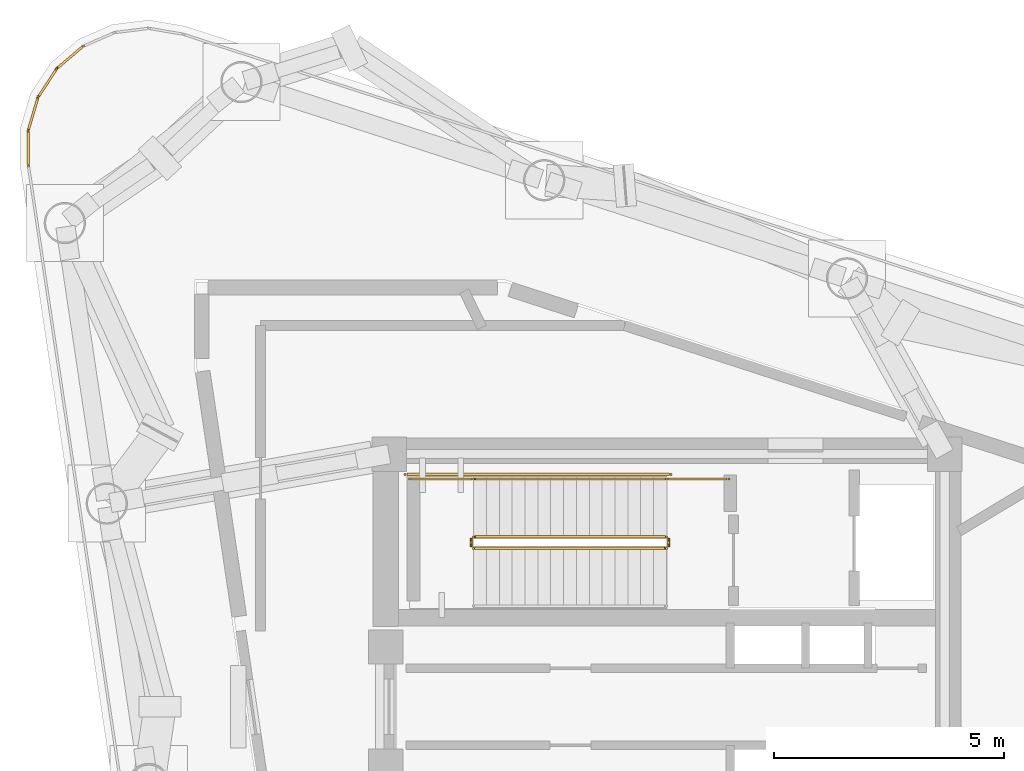
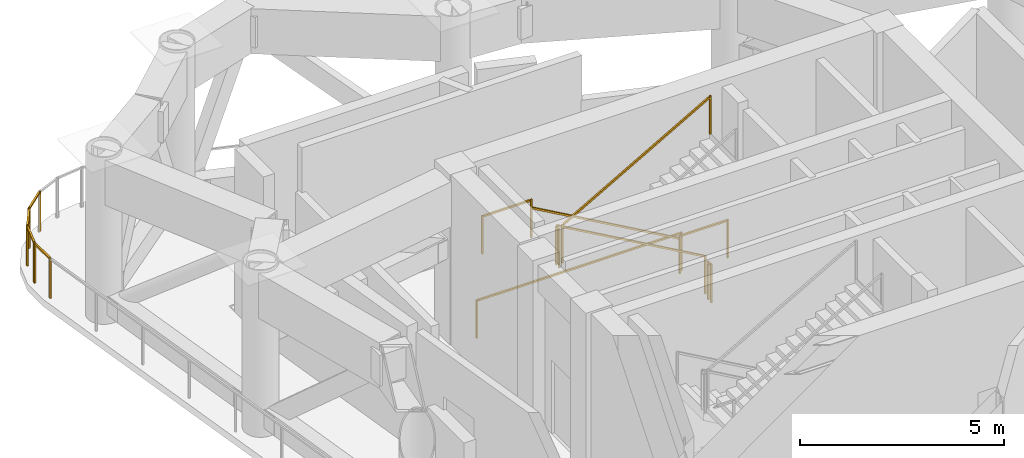
# One storey, part 8 of 9: 12 railings.
"""IFC4 building model written with IfcOpenShell, lengths in metres."""

from ifc_helpers import new_model, si_unit, direction, frame, origin, origin_2d, place, context, subcontext, project, spatial, rectangle, extrude, material, type_object, element, save


model = new_model("IFC4")

# Units and contexts
model_context = context("Model", 3, precision=1e-05, world=origin(), true_north=direction((0.0, 1.0)))
body_context = subcontext(model_context, "Body", "Model", "MODEL_VIEW")
ifc_project = project(units=[si_unit("LENGTHUNIT", "METRE"), si_unit("AREAUNIT", "SQUARE_METRE"), si_unit("VOLUMEUNIT", "CUBIC_METRE"), si_unit("PLANEANGLEUNIT", "RADIAN"), si_unit("MASSUNIT", "GRAM", prefix="KILO")], contexts=[model_context])

# Site, building, storey
site_placement = place(None, origin())
site = spatial("IfcSite", under=ifc_project, at=site_placement, CompositionType="ELEMENT")
building_placement = place(site_placement, origin())
building = spatial("IfcBuilding", under=site, at=building_placement, Name="Yunling Apex Tower", CompositionType="ELEMENT")
storey_placement = place(building_placement, frame((0.0, 0.0, 284.75)))
storey = spatial("IfcBuildingStorey", under=building, at=storey_placement, Name="RF8", CompositionType="ELEMENT", Elevation=284.75)

# Railings
ifc_material_1 = material(Name="Bronze anodised aluminium", Category="aluminium")
railing_type_1 = type_object("IfcRailingType", Name="RL-BAL-1200", PredefinedType="BALUSTRADE", material=ifc_material_1)
railing_1_placement = place(storey_placement, frame((-13.904052734375, 11.7734375, 0.0)))
element("IfcRailing", 1, at=railing_1_placement, inside=storey, type_object=railing_type_1, Name="RL-REF-RF8-02", PredefinedType="BALUSTRADE", context=body_context, shape_type="SweptSolid", body=[
    extrude(rectangle(XDim=0.0439453125, YDim=0.0439453125, at=origin_2d()), origin(), (0.0, 0.0, 1.0), 1.199951171875),
    extrude(rectangle(XDim=0.0439453125, YDim=0.0439453125, at=origin_2d()), frame((-0.002685546875, 0.792236328125, 0.0)), (0.0, 0.0, 1.0), 1.199951171875),
    extrude(rectangle(XDim=0.050048828125, YDim=0.050048828125, at=origin_2d()), frame((-0.000244140625, 0.038330078125, 1.1748046875), z_axis=(-0.003389811032, 0.999994254574, 0.0), x_axis=(-0.999994254574, -0.003389811032, 0.0)), (0.0, 0.0, 1.0), 0.715576171875),
])
railing_2_placement = place(storey_placement, frame((-13.910888671875, 12.5361328125, 0.0)))
element("IfcRailing", 2, at=railing_2_placement, inside=storey, type_object=railing_type_1, Name="RL-REF-RF8-03", PredefinedType="BALUSTRADE", context=body_context, shape_type="SweptSolid", body=[
    extrude(rectangle(XDim=0.0439453125, YDim=0.0439453125, at=origin_2d()), origin(), (0.0, 0.0, 1.0), 1.199951171875),
    extrude(rectangle(XDim=0.0439453125, YDim=0.0439453125, at=origin_2d()), frame((0.220703125, 0.7470703125, 0.0)), (0.0, 0.0, 1.0), 1.199951171875),
    extrude(rectangle(XDim=0.050048828125, YDim=0.050048828125, at=origin_2d()), frame((0.0107421875, 0.036865234375, 1.1748046875), z_axis=(0.28331993681, 0.959025449822, 0.0), x_axis=(-0.959025449822, 0.28331993681, 0.0)), (0.0, 0.0, 1.0), 0.702392578125),
])
railing_3_placement = place(storey_placement, frame((-13.70263671875, 13.256103515625, 0.0)))
element("IfcRailing", 3, at=railing_3_placement, inside=storey, type_object=railing_type_1, Name="RL-REF-RF8-04", PredefinedType="BALUSTRADE", context=body_context, shape_type="SweptSolid", body=[
    extrude(rectangle(XDim=0.0439453125, YDim=0.0439453125, at=origin_2d()), origin(), (0.0, 0.0, 1.0), 1.199951171875),
    extrude(rectangle(XDim=0.0439453125, YDim=0.0439453125, at=origin_2d()), frame((0.42529296875, 0.652587890625, 0.0)), (0.0, 0.0, 1.0), 1.199951171875),
    extrude(rectangle(XDim=0.050048828125, YDim=0.050048828125, at=origin_2d()), frame((0.02099609375, 0.0322265625, 1.1748046875), z_axis=(0.545990487941, 0.837791374435, 0.0), x_axis=(-0.837791374435, 0.545990487941, 0.0)), (0.0, 0.0, 1.0), 0.702392578125),
])
railing_4_placement = place(storey_placement, frame((-13.297119140625, 13.886474609375, 0.0)))
element("IfcRailing", 4, at=railing_4_placement, inside=storey, type_object=railing_type_1, Name="RL-REF-RF8-05", PredefinedType="BALUSTRADE", context=body_context, shape_type="SweptSolid", body=[
    extrude(rectangle(XDim=0.0439453125, YDim=0.0439453125, at=origin_2d()), origin(), (0.0, 0.0, 1.0), 1.199951171875),
    extrude(rectangle(XDim=0.0439453125, YDim=0.0439453125, at=origin_2d()), frame((0.594482421875, 0.50341796875, 0.0)), (0.0, 0.0, 1.0), 1.199951171875),
    extrude(rectangle(XDim=0.050048828125, YDim=0.050048828125, at=origin_2d()), frame((0.029296875, 0.024658203125, 1.1748046875), z_axis=(0.763136586566, 0.646237224435, 0.0), x_axis=(-0.646237224435, 0.763136586566, 0.0)), (0.0, 0.0, 1.0), 0.702392578125),
])
ifc_material_2 = material(Name="Steel Q355B", Category="steel")
railing_type_2 = type_object("IfcRailingType", Name="RL-GRD-1150", PredefinedType="GUARDRAIL", material=ifc_material_2)
railing_5_placement = place(storey_placement, frame((-0.010009765625, 3.699951171875, 0.159423828125)))
element("IfcRailing", 5, at=railing_5_placement, inside=storey, type_object=railing_type_2, Name="RF8 ST-1 stair guard 1", PredefinedType="GUARDRAIL", context=body_context, shape_type="SweptSolid", body=[
    extrude(rectangle(XDim=0.0439453125, YDim=0.0439453125, at=origin_2d()), origin(), (0.0, 0.0, 1.0), 1.14990234375),
    extrude(rectangle(XDim=0.0439453125, YDim=0.0439453125, at=origin_2d()), frame((-4.199951171875, 0.0, 2.390625)), (0.0, 0.0, 1.0), 1.14990234375),
    extrude(rectangle(XDim=0.050048828125, YDim=0.050048828125, at=origin_2d()), frame((-0.033203125, 0.0, 1.143798828125), z_axis=(-0.869075089623, 0.0, 0.494680188199), x_axis=(0.0, -1.0, 0.0)), (0.0, 0.0, 1.0), 4.756103515625),
])
railing_6_placement = place(storey_placement, frame((-4.260009765625, 3.64990234375, 2.550048828125)))
element("IfcRailing", 6, at=railing_6_placement, inside=storey, type_object=railing_type_2, Name="RF8 ST-1 stair guard 2", PredefinedType="GUARDRAIL", context=body_context, shape_type="SweptSolid", body=[
    extrude(rectangle(XDim=0.0439453125, YDim=0.0439453125, at=origin_2d()), origin(), (0.0, 0.0, 1.0), 1.14990234375),
    extrude(rectangle(XDim=0.0439453125, YDim=0.0439453125, at=origin_2d()), frame((0.0, -0.14990234375, 0.0)), (0.0, 0.0, 1.0), 1.14990234375),
    extrude(rectangle(XDim=0.050048828125, YDim=0.050048828125, at=origin_2d()), frame((0.0, -0.038330078125, 1.125), z_axis=(0.0, -1.0, 0.0), x_axis=(1.0, 0.0, 0.0)), (0.0, 0.0, 1.0), 0.0732421875),
])
railing_7_placement = place(storey_placement, frame((-4.2099609375, 4.9599609375, 2.550048828125)))
element("IfcRailing", 7, at=railing_7_placement, inside=storey, type_object=railing_type_2, Name="RF8 ST-1 stair guard 3", PredefinedType="GUARDRAIL", context=body_context, shape_type="SweptSolid", body=[
    extrude(rectangle(XDim=0.0439453125, YDim=0.0439453125, at=origin_2d()), origin(), (0.0, 0.0, 1.0), 1.14990234375),
    extrude(rectangle(XDim=0.0439453125, YDim=0.0439453125, at=origin_2d()), frame((-1.39013671875, 0.0, 0.0)), (0.0, 0.0, 1.0), 1.14990234375),
    extrude(rectangle(XDim=0.050048828125, YDim=0.050048828125, at=origin_2d()), frame((-0.038330078125, 0.0, 1.125), z_axis=(-1.0, 0.0, 0.0), x_axis=(0.0, -1.0, 0.0)), (0.0, 0.0, 1.0), 1.3134765625),
])
railing_8_placement = place(storey_placement, frame((-4.2099609375, 3.449951171875, 2.70947265625)))
element("IfcRailing", 8, at=railing_8_placement, inside=storey, type_object=railing_type_2, Name="RF8 ST-1 stair guard 4", PredefinedType="GUARDRAIL", context=body_context, shape_type="SweptSolid", body=[
    extrude(rectangle(XDim=0.0439453125, YDim=0.0439453125, at=origin_2d()), origin(), (0.0, 0.0, 1.0), 1.14990234375),
    extrude(rectangle(XDim=0.0439453125, YDim=0.0439453125, at=origin_2d()), frame((4.199951171875, 0.0, 2.390625)), (0.0, 0.0, 1.0), 1.14990234375),
    extrude(rectangle(XDim=0.050048828125, YDim=0.050048828125, at=origin_2d()), frame((0.033203125, 0.0, 1.143798828125), z_axis=(0.869075089623, 0.0, 0.494680188199), x_axis=(0.0, 1.0, 0.0)), (0.0, 0.0, 1.0), 4.756103515625),
])
railing_9_placement = place(storey_placement, frame((0.0400390625, 3.64990234375, 0.0)))
element("IfcRailing", 9, at=railing_9_placement, inside=storey, type_object=railing_type_2, Name="RF8 ST-1 stair guard 5", PredefinedType="GUARDRAIL", context=body_context, shape_type="SweptSolid", body=[
    extrude(rectangle(XDim=0.0439453125, YDim=0.0439453125, at=origin_2d()), origin(), (0.0, 0.0, 1.0), 1.14990234375),
    extrude(rectangle(XDim=0.0439453125, YDim=0.0439453125, at=origin_2d()), frame((0.0, -0.14990234375, 0.0)), (0.0, 0.0, 1.0), 1.14990234375),
    extrude(rectangle(XDim=0.050048828125, YDim=0.050048828125, at=origin_2d()), frame((0.0, -0.038330078125, 1.125), z_axis=(0.0, -1.0, 0.0), x_axis=(1.0, 0.0, 0.0)), (0.0, 0.0, 1.0), 0.0732421875),
])
railing_10_placement = place(storey_placement, frame((1.35009765625, 4.9599609375, 0.0)))
element("IfcRailing", 10, at=railing_10_placement, inside=storey, type_object=railing_type_2, Name="RF8 ST-1 stair guard 6", PredefinedType="GUARDRAIL", context=body_context, shape_type="SweptSolid", body=[
    extrude(rectangle(XDim=0.0439453125, YDim=0.0439453125, at=origin_2d()), origin(), (0.0, 0.0, 1.0), 1.14990234375),
    extrude(rectangle(XDim=0.0439453125, YDim=0.0439453125, at=origin_2d()), frame((-1.360107421875, 0.0, 0.0)), (0.0, 0.0, 1.0), 1.14990234375),
    extrude(rectangle(XDim=0.050048828125, YDim=0.050048828125, at=origin_2d()), frame((-0.038330078125, 0.0, 1.125), z_axis=(-1.0, 0.0, 0.0), x_axis=(0.0, -1.0, 0.0)), (0.0, 0.0, 1.0), 1.283447265625),
])
railing_11_placement = place(storey_placement, frame((0.090087890625, 5.06005859375, 0.0)))
element("IfcRailing", 11, at=railing_11_placement, inside=storey, type_object=railing_type_2, Name="RF8 ST-1 stair guard 7", PredefinedType="GUARDRAIL", context=body_context, shape_type="SweptSolid", body=[
    extrude(rectangle(XDim=0.0439453125, YDim=0.0439453125, at=origin_2d()), origin(), (0.0, 0.0, 1.0), 1.14990234375),
    extrude(rectangle(XDim=0.0439453125, YDim=0.0439453125, at=origin_2d()), frame((-5.7900390625, 0.0, 0.0)), (0.0, 0.0, 1.0), 1.14990234375),
    extrude(rectangle(XDim=0.050048828125, YDim=0.050048828125, at=origin_2d()), frame((-0.038330078125, 0.0, 1.125), z_axis=(-1.0, 0.0, 0.0), x_axis=(0.0, -1.0, 0.0)), (0.0, 0.0, 1.0), 5.71337890625),
])
ifc_material_3 = material(Name="Silver anodised aluminium", Category="aluminium")
railing_type_3 = type_object("IfcRailingType", Name="RL-HND-900", PredefinedType="HANDRAIL", material=ifc_material_3)
railing_12_placement = place(storey_placement, frame((-0.010009765625, 4.9599609375, 0.159423828125)))
element("IfcRailing", 12, at=railing_12_placement, inside=storey, type_object=railing_type_3, Name="RF8 ST-1 stair handrail 1", PredefinedType="HANDRAIL", context=body_context, shape_type="SweptSolid", body=[
    extrude(rectangle(XDim=0.0439453125, YDim=0.0439453125, at=origin_2d()), origin(), (0.0, 0.0, 1.0), 0.919921875),
    extrude(rectangle(XDim=0.0439453125, YDim=0.0439453125, at=origin_2d()), frame((-4.199951171875, 0.0, 2.390625)), (0.0, 0.0, 1.0), 0.919921875),
    extrude(rectangle(XDim=0.050048828125, YDim=0.050048828125, at=origin_2d()), frame((-0.033203125, 0.0, 0.913818359375), z_axis=(-0.869075089623, 0.0, 0.494680188199), x_axis=(0.0, -1.0, 0.0)), (0.0, 0.0, 1.0), 4.756103515625),
])

save(model, "model.ifc")
